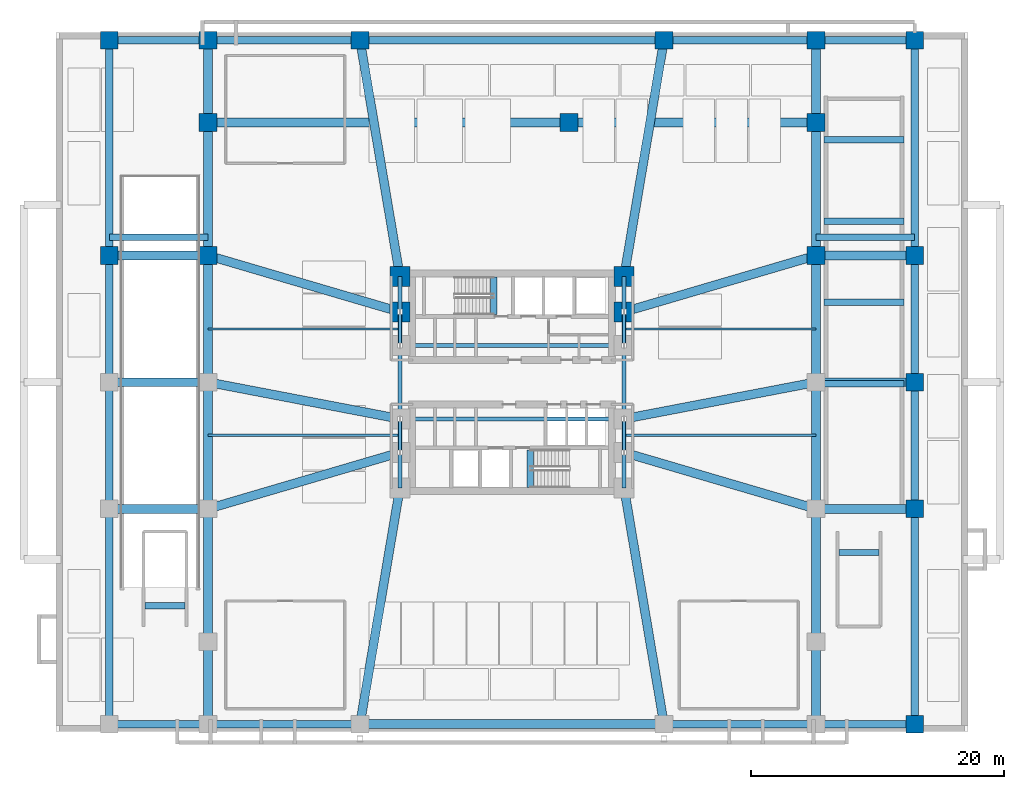
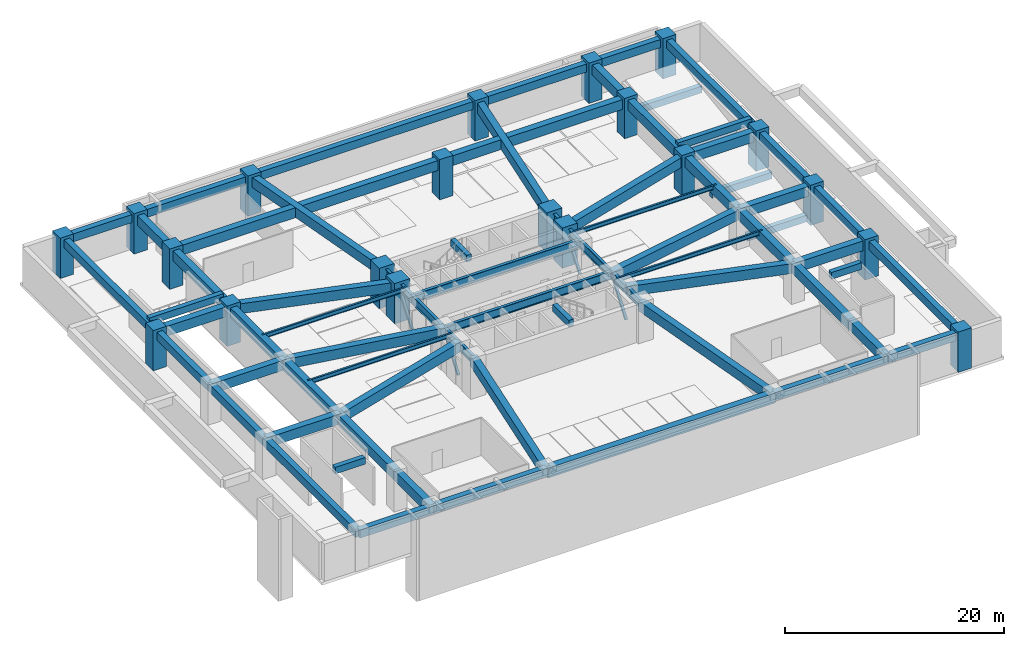
# One storey, part 3 of 13: 74 beams, 20 columns, 4 members.
"""IFC4 building model written with IfcOpenShell, lengths in metres."""

from ifc_helpers import new_model, si_unit, direction, frame, origin, origin_2d, place, context, subcontext, project, spatial, rectangle, hollow_rectangle, i_section, extrude, material, material_profile, profile_set, type_object, element, save


model = new_model("IFC4")

# Units and contexts
model_context = context("Model", 3, precision=1e-05, world=origin(), true_north=direction((0.0, 1.0)))
body_context = subcontext(model_context, "Body", "Model", "MODEL_VIEW")
ifc_project = project(units=[si_unit("LENGTHUNIT", "METRE"), si_unit("AREAUNIT", "SQUARE_METRE"), si_unit("VOLUMEUNIT", "CUBIC_METRE"), si_unit("PLANEANGLEUNIT", "RADIAN"), si_unit("MASSUNIT", "GRAM", prefix="KILO")], contexts=[model_context])

# Site, building, storey
site_placement = place(None, origin())
site = spatial("IfcSite", under=ifc_project, at=site_placement, CompositionType="ELEMENT")
building_placement = place(site_placement, origin())
building = spatial("IfcBuilding", under=site, at=building_placement, Name="Solmarez Civic Tower", CompositionType="ELEMENT")
storey_placement = place(building_placement, frame((0.0, 0.0, -4.5)))
storey = spatial("IfcBuildingStorey", under=building, at=storey_placement, Name="B1", CompositionType="ELEMENT", Elevation=-4.5)

# Columns
ifc_material_1 = material(Name="Concrete C60/75", Category="concrete")
ifc_material_profile_1 = material_profile(ifc_material_1, rectangle(XDim=1.39990234375, YDim=1.39990234375, at=origin_2d()), Name="RC1400X1400")
ifc_profile_set_1 = profile_set([ifc_material_profile_1], Name="Concrete C60/75")
column_type_1 = type_object("IfcColumnType", Name="COL-RC1400", PredefinedType="COLUMN", material=ifc_profile_set_1)
for number, where, z_axis, x_axis, name in (
    (1, (31.800048828125, -27.0, 0.0), (0.0, 0.0, 1.0), (1.0, 0.0, 0.0), "B1 Structural Column PC06"),
    (2, (-31.800048828125, 27.0, 0.0), (0.0, 0.0, 1.0), (1.0, 0.0, 0.0), "B1 Structural Column PC07"),
    (3, (-24.0, 27.0, 0.0), (0.0, 0.0, 1.0), (1.0, 0.0, 0.0), "B1 Structural Column PC08"),
    (4, (-12.0, 27.0, 0.0), (0.0, 0.0, 1.0), (1.0, 0.0, 0.0), "B1 Structural Column PC09"),
    (5, (12.0, 27.0, 0.0), (0.0, 0.0, 1.0), (1.0, 0.0, 0.0), "B1 Structural Column PC10"),
    (6, (24.0, 27.0, 0.0), (0.0, 0.0, 1.0), (1.0, 0.0, 0.0), "B1 Structural Column PC11"),
    (7, (31.800048828125, 27.0, 0.0), (0.0, 0.0, 1.0), (1.0, 0.0, 0.0), "B1 Structural Column PC12"),
    (8, (-31.800048828125, 10.0, 0.0), (0.0, 0.0, 1.0), (1.0, 0.0, 0.0), "B1 Structural Column PC15"),
    (9, (31.800048828125, -10.0, 0.0), (0.0, 0.0, 1.0), (1.0, 0.0, 0.0), "B1 Structural Column PC16"),
    (10, (31.800048828125, 0.0, 0.0), (0.0, 0.0, 1.0), (1.0, 0.0, 0.0), "B1 Structural Column PC17"),
    (11, (31.800048828125, 10.0, 0.0), (0.0, 0.0, 1.0), (1.0, 0.0, 0.0), "B1 Structural Column PC18"),
    (12, (-24.0, 10.0, 0.0), (0.0, 0.0, 1.0), (1.0, 0.0, 0.0), "B1 Structural Column PC21"),
    (13, (24.0, 10.0, 0.0), (0.0, 0.0, 1.0), (1.0, 0.0, 0.0), "B1 Structural Column PC24"),
    (14, (4.5, 20.5, 0.0), (0.0, 0.0, 1.0), (1.0, 0.0, 0.0), "B1 Structural Column PC25"),
    (15, (-24.0, 20.5, 0.0), (0.0, 0.0, 1.0), (1.0, 0.0, 0.0), "B1 Structural Column PC29"),
    (16, (24.0, 20.5, 0.0), (0.0, 0.0, 1.0), (1.0, 0.0, 0.0), "B1 Structural Column PC30"),
):
    element("IfcColumn", number, at=place(storey_placement, frame(where, z_axis=z_axis, x_axis=x_axis)), inside=storey, type_object=column_type_1, Name=name, PredefinedType="COLUMN", context=body_context, shape_type="SweptSolid", body=[
        extrude(rectangle(XDim=1.39990234375, YDim=1.39990234375, at=origin_2d()), origin(), (0.0, 0.0, 1.0), 4.5),
    ])
ifc_material_profile_2 = material_profile(ifc_material_1, rectangle(XDim=1.60009765625, YDim=1.60009765625, at=origin_2d()), Name="RC1600X1600")
ifc_profile_set_2 = profile_set([ifc_material_profile_2], Name="Concrete C60/75")
column_type_2 = type_object("IfcColumnType", Name="COL-RC1600", PredefinedType="COLUMN", material=ifc_profile_set_2)
for number, where, z_axis, x_axis, name in (
    (17, (-8.85009765625, 5.550048828125, 0.0), (0.0, 0.0, 1.0), (1.0, 0.0, 0.0), "B1 Structural Column HC4"),
    (18, (8.85009765625, 5.550048828125, 0.0), (0.0, 0.0, 1.0), (1.0, 0.0, 0.0), "B1 Structural Column HC8"),
    (19, (-8.85009765625, 8.35009765625, 0.0), (0.0, 0.0, 1.0), (1.0, 0.0, 0.0), "B1 Structural Column HC9"),
    (20, (8.85009765625, 8.35009765625, 0.0), (0.0, 0.0, 1.0), (1.0, 0.0, 0.0), "B1 Structural Column HC11"),
):
    element("IfcColumn", number, at=place(storey_placement, frame(where, z_axis=z_axis, x_axis=x_axis)), inside=storey, type_object=column_type_2, Name=name, PredefinedType="COLUMN", context=body_context, shape_type="SweptSolid", body=[
        extrude(rectangle(XDim=1.60009765625, YDim=1.60009765625, at=origin_2d()), origin(), (0.0, 0.0, 1.0), 4.5),
    ])

# Beams
ifc_material_2 = material(Name="Steel S355", Category="steel")
ifc_material_profile_3 = material_profile(ifc_material_2, i_section(OverallWidth=0.19189453125, OverallDepth=0.462890625, WebThickness=0.010498046875, FlangeThickness=0.017578125, at=origin_2d()), Name="W18X60")
ifc_profile_set_3 = profile_set([ifc_material_profile_3], Name="Steel S355")
beam_type_1 = type_object("IfcBeamType", Name="BM-JS-W18X60", PredefinedType="JOIST", material=ifc_profile_set_3)
for number, where, z_axis, x_axis, name in (
    (21, (-24.0, -4.199951171875, 3.948974609375), (1.0, 0.0, 0.0), (0.0, 1.0, 0.0), "B1 Secondary Floor Joist JS-B1-WM1"),
    (22, (8.85009765625, -4.199951171875, 3.948974609375), (1.0, 0.0, 0.0), (0.0, 1.0, 0.0), "B1 Secondary Floor Joist JS-B1-EM1"),
    (23, (-24.0, 4.199951171875, 3.948974609375), (1.0, 0.0, 0.0), (0.0, 1.0, 0.0), "B1 Secondary Floor Joist JS-B1-WM2"),
    (24, (8.85009765625, 4.199951171875, 3.948974609375), (1.0, 0.0, 0.0), (0.0, 1.0, 0.0), "B1 Secondary Floor Joist JS-B1-EM2"),
):
    element("IfcBeam", number, at=place(storey_placement, frame(where, z_axis=z_axis, x_axis=x_axis)), inside=storey, type_object=beam_type_1, Name=name, PredefinedType="JOIST", context=body_context, shape_type="SweptSolid", body=[
        extrude(i_section(OverallWidth=0.19189453125, OverallDepth=0.462890625, WebThickness=0.010498046875, FlangeThickness=0.017578125, at=origin_2d()), origin(), (0.0, 0.0, 1.0), 15.14990234375),
    ])
ifc_material_3 = material(Name="Concrete C50/60", Category="concrete")
ifc_material_profile_4 = material_profile(ifc_material_3, rectangle(XDim=0.5, YDim=0.75, at=origin_2d()), Name="RC500X750")
ifc_profile_set_4 = profile_set([ifc_material_profile_4], Name="Concrete C50/60")
beam_type_2 = type_object("IfcBeamType", Name="BM-PR-RC500X750", PredefinedType="BEAM", material=ifc_profile_set_4)
for number, where, z_axis, x_axis, name in (
    (25, (-1.449951171875, 5.340087890625, 4.133056640625), (0.0, 1.0, 0.0), (-1.0, 0.0, 0.0), "B1 North Stair Threshold Beam"),
    (26, (1.449951171875, -8.300048828125, 4.133056640625), (0.0, 1.0, 0.0), (-1.0, 0.0, 0.0), "B1 South Stair Threshold Beam"),
):
    element("IfcBeam", number, at=place(storey_placement, frame(where, z_axis=z_axis, x_axis=x_axis)), inside=storey, type_object=beam_type_2, Name=name, PredefinedType="BEAM", context=body_context, shape_type="SweptSolid", body=[
        extrude(rectangle(XDim=0.5, YDim=0.75, at=origin_2d()), origin(), (0.0, 0.0, 1.0), 2.9599609375),
    ])
for number, where, z_axis, x_axis, name in (
    (27, (24.64990234375, -0.1201171875, 0.68701171875), (1.0, 0.0, 0.0), (0.0, 1.0, 0.0), "B1 Vehicle Ramp Support Beam SLAB-VR1-1"),
    (28, (24.64990234375, 6.300048828125, 1.5869140625), (1.0, 0.0, 0.0), (0.0, 1.0, 0.0), "B1 Vehicle Ramp Support Beam SLAB-VR1-2"),
    (29, (24.64990234375, 12.719970703125, 2.487060546875), (1.0, 0.0, 0.0), (0.0, 1.0, 0.0), "B1 Vehicle Ramp Support Beam SLAB-VR1-3"),
    (30, (24.64990234375, 19.139892578125, 3.386962890625), (1.0, 0.0, 0.0), (0.0, 1.0, 0.0), "B1 Vehicle Ramp Support Beam SLAB-VR1-4"),
):
    element("IfcBeam", number, at=place(storey_placement, frame(where, z_axis=z_axis, x_axis=x_axis)), inside=storey, type_object=beam_type_2, Name=name, PredefinedType="BEAM", context=body_context, shape_type="SweptSolid", body=[
        extrude(rectangle(XDim=0.5, YDim=0.75, at=origin_2d()), origin(), (0.0, 0.0, 1.0), 6.300048828125),
    ])
for number, where, z_axis, x_axis, name in (
    (31, (-28.97998046875, -17.64990234375, 4.131103515625), (1.0, 0.0, 0.0), (0.0, 1.0, 0.0), "B1 West Podium Stair Threshold Beam"),
    (32, (25.820068359375, -13.449951171875, 4.131103515625), (1.0, 0.0, 0.0), (0.0, 1.0, 0.0), "B1 East Podium Stair Threshold Beam"),
):
    element("IfcBeam", number, at=place(storey_placement, frame(where, z_axis=z_axis, x_axis=x_axis)), inside=storey, type_object=beam_type_2, Name=name, PredefinedType="BEAM", context=body_context, shape_type="SweptSolid", body=[
        extrude(rectangle(XDim=0.5, YDim=0.75, at=origin_2d()), origin(), (0.0, 0.0, 1.0), 3.159912109375),
    ])
for number, where, z_axis, x_axis, name in (
    (33, (-31.800048828125, 11.449951171875, 4.131103515625), (1.0, 0.0, 0.0), (0.0, 1.0, 0.0), "B1 Atrium Stair Bottom Threshold Beam P3"),
    (34, (24.0, 11.449951171875, 4.131103515625), (1.0, 0.0, 0.0), (0.0, 1.0, 0.0), "B1 Atrium Stair Bottom Threshold Beam P4"),
):
    element("IfcBeam", number, at=place(storey_placement, frame(where, z_axis=z_axis, x_axis=x_axis)), inside=storey, type_object=beam_type_2, Name=name, PredefinedType="BEAM", context=body_context, shape_type="SweptSolid", body=[
        extrude(rectangle(XDim=0.5, YDim=0.75, at=origin_2d()), origin(), (0.0, 0.0, 1.0), 7.800048828125),
    ])
ifc_material_profile_5 = material_profile(ifc_material_3, rectangle(XDim=0.60009765625, YDim=0.89990234375, at=origin_2d()), Name="RC600X900")
ifc_profile_set_5 = profile_set([ifc_material_profile_5], Name="Concrete C50/60")
beam_type_3 = type_object("IfcBeamType", Name="BM-PR-RC600X900", PredefinedType="BEAM", material=ifc_profile_set_5)
beam_1_placement = place(storey_placement, frame((-31.800048828125, -27.0, 3.72998046875), z_axis=(1.0, 0.0, 0.0), x_axis=(0.0, 1.0, 0.0)))
element("IfcBeam", 35, at=beam_1_placement, inside=storey, type_object=beam_type_3, Name="B1 Primary Floor Beam BM-B1-PC01-PC02", PredefinedType="BEAM", context=body_context, shape_type="SweptSolid", body=[
    extrude(rectangle(XDim=0.60009765625, YDim=0.89990234375, at=origin_2d()), origin(), (0.0, 0.0, 1.0), 7.800048828125),
])
for number, where, z_axis, x_axis, name in (
    (36, (-24.0, -27.0, 3.72998046875), (1.0, 0.0, 0.0), (0.0, 1.0, 0.0), "B1 Primary Floor Beam BM-B1-PC02-PC03"),
    (37, (12.0, -27.0, 3.72998046875), (1.0, 0.0, 0.0), (0.0, 1.0, 0.0), "B1 Primary Floor Beam BM-B1-PC04-PC05"),
):
    element("IfcBeam", number, at=place(storey_placement, frame(where, z_axis=z_axis, x_axis=x_axis)), inside=storey, type_object=beam_type_3, Name=name, PredefinedType="BEAM", context=body_context, shape_type="SweptSolid", body=[
        extrude(rectangle(XDim=0.60009765625, YDim=0.89990234375, at=origin_2d()), origin(), (0.0, 0.0, 1.0), 12.0),
    ])
for number, where, z_axis, x_axis, name in (
    (38, (24.0, -27.0, 3.72998046875), (1.0, 0.0, 0.0), (0.0, 1.0, 0.0), "B1 Primary Floor Beam BM-B1-PC05-PC06"),
    (39, (-31.800048828125, 27.0, 3.72998046875), (1.0, 0.0, 0.0), (0.0, 1.0, 0.0), "B1 Primary Floor Beam BM-B1-PC07-PC08"),
):
    element("IfcBeam", number, at=place(storey_placement, frame(where, z_axis=z_axis, x_axis=x_axis)), inside=storey, type_object=beam_type_3, Name=name, PredefinedType="BEAM", context=body_context, shape_type="SweptSolid", body=[
        extrude(rectangle(XDim=0.60009765625, YDim=0.89990234375, at=origin_2d()), origin(), (0.0, 0.0, 1.0), 7.800048828125),
    ])
beam_2_placement = place(storey_placement, frame((-24.0, 27.0, 3.72998046875), z_axis=(1.0, 0.0, 0.0), x_axis=(0.0, 1.0, 0.0)))
element("IfcBeam", 40, at=beam_2_placement, inside=storey, type_object=beam_type_3, Name="B1 Primary Floor Beam BM-B1-PC08-PC09", PredefinedType="BEAM", context=body_context, shape_type="SweptSolid", body=[
    extrude(rectangle(XDim=0.60009765625, YDim=0.89990234375, at=origin_2d()), origin(), (0.0, 0.0, 1.0), 12.0),
])
beam_3_placement = place(storey_placement, frame((-12.0, 27.0, 3.72998046875), z_axis=(1.0, 0.0, 0.0), x_axis=(0.0, 1.0, 0.0)))
element("IfcBeam", 41, at=beam_3_placement, inside=storey, type_object=beam_type_3, Name="B1 Primary Floor Beam BM-B1-PC09-PC10", PredefinedType="BEAM", context=body_context, shape_type="SweptSolid", body=[
    extrude(rectangle(XDim=0.60009765625, YDim=0.89990234375, at=origin_2d()), origin(), (0.0, 0.0, 1.0), 24.0),
])
beam_4_placement = place(storey_placement, frame((12.0, 27.0, 3.72998046875), z_axis=(1.0, 0.0, 0.0), x_axis=(0.0, 1.0, 0.0)))
element("IfcBeam", 42, at=beam_4_placement, inside=storey, type_object=beam_type_3, Name="B1 Primary Floor Beam BM-B1-PC10-PC11", PredefinedType="BEAM", context=body_context, shape_type="SweptSolid", body=[
    extrude(rectangle(XDim=0.60009765625, YDim=0.89990234375, at=origin_2d()), origin(), (0.0, 0.0, 1.0), 12.0),
])
beam_5_placement = place(storey_placement, frame((24.0, 27.0, 3.72998046875), z_axis=(1.0, 0.0, 0.0), x_axis=(0.0, 1.0, 0.0)))
element("IfcBeam", 43, at=beam_5_placement, inside=storey, type_object=beam_type_3, Name="B1 Primary Floor Beam BM-B1-PC11-PC12", PredefinedType="BEAM", context=body_context, shape_type="SweptSolid", body=[
    extrude(rectangle(XDim=0.60009765625, YDim=0.89990234375, at=origin_2d()), origin(), (0.0, 0.0, 1.0), 7.800048828125),
])
beam_6_placement = place(storey_placement, frame((-31.800048828125, -27.0, 3.72998046875), z_axis=(0.0, 1.0, 0.0), x_axis=(-1.0, 0.0, 0.0)))
element("IfcBeam", 44, at=beam_6_placement, inside=storey, type_object=beam_type_3, Name="B1 Primary Floor Beam BM-B1-PC01-PC13", PredefinedType="BEAM", context=body_context, shape_type="SweptSolid", body=[
    extrude(rectangle(XDim=0.60009765625, YDim=0.89990234375, at=origin_2d()), origin(), (0.0, 0.0, 1.0), 17.0),
])
for number, where, z_axis, x_axis, name in (
    (45, (-31.800048828125, -10.0, 3.72998046875), (0.0, 1.0, 0.0), (-1.0, 0.0, 0.0), "B1 Primary Floor Beam BM-B1-PC13-PC14"),
    (46, (-31.800048828125, 0.0, 3.72998046875), (0.0, 1.0, 0.0), (-1.0, 0.0, 0.0), "B1 Primary Floor Beam BM-B1-PC14-PC15"),
):
    element("IfcBeam", number, at=place(storey_placement, frame(where, z_axis=z_axis, x_axis=x_axis)), inside=storey, type_object=beam_type_3, Name=name, PredefinedType="BEAM", context=body_context, shape_type="SweptSolid", body=[
        extrude(rectangle(XDim=0.60009765625, YDim=0.89990234375, at=origin_2d()), origin(), (0.0, 0.0, 1.0), 10.0),
    ])
for number, where, z_axis, x_axis, name in (
    (47, (-31.800048828125, 10.0, 3.72998046875), (0.0, 1.0, 0.0), (-1.0, 0.0, 0.0), "B1 Primary Floor Beam BM-B1-PC15-PC07"),
    (48, (31.800048828125, -27.0, 3.72998046875), (0.0, 1.0, 0.0), (-1.0, 0.0, 0.0), "B1 Primary Floor Beam BM-B1-PC06-PC16"),
):
    element("IfcBeam", number, at=place(storey_placement, frame(where, z_axis=z_axis, x_axis=x_axis)), inside=storey, type_object=beam_type_3, Name=name, PredefinedType="BEAM", context=body_context, shape_type="SweptSolid", body=[
        extrude(rectangle(XDim=0.60009765625, YDim=0.89990234375, at=origin_2d()), origin(), (0.0, 0.0, 1.0), 17.0),
    ])
for number, where, z_axis, x_axis, name in (
    (49, (31.800048828125, -10.0, 3.72998046875), (0.0, 1.0, 0.0), (-1.0, 0.0, 0.0), "B1 Primary Floor Beam BM-B1-PC16-PC17"),
    (50, (31.800048828125, 0.0, 3.72998046875), (0.0, 1.0, 0.0), (-1.0, 0.0, 0.0), "B1 Primary Floor Beam BM-B1-PC17-PC18"),
):
    element("IfcBeam", number, at=place(storey_placement, frame(where, z_axis=z_axis, x_axis=x_axis)), inside=storey, type_object=beam_type_3, Name=name, PredefinedType="BEAM", context=body_context, shape_type="SweptSolid", body=[
        extrude(rectangle(XDim=0.60009765625, YDim=0.89990234375, at=origin_2d()), origin(), (0.0, 0.0, 1.0), 10.0),
    ])
beam_7_placement = place(storey_placement, frame((31.800048828125, 10.0, 3.72998046875), z_axis=(0.0, 1.0, 0.0), x_axis=(-1.0, 0.0, 0.0)))
element("IfcBeam", 51, at=beam_7_placement, inside=storey, type_object=beam_type_3, Name="B1 Primary Floor Beam BM-B1-PC18-PC12", PredefinedType="BEAM", context=body_context, shape_type="SweptSolid", body=[
    extrude(rectangle(XDim=0.60009765625, YDim=0.89990234375, at=origin_2d()), origin(), (0.0, 0.0, 1.0), 17.0),
])
ifc_material_profile_6 = material_profile(ifc_material_3, rectangle(XDim=0.699951171875, YDim=1.10009765625, at=origin_2d()), Name="RC700X1100")
ifc_profile_set_6 = profile_set([ifc_material_profile_6], Name="Concrete C50/60")
beam_type_4 = type_object("IfcBeamType", Name="BM-PR-RC700X1100", PredefinedType="BEAM", material=ifc_profile_set_6)
beam_8_placement = place(storey_placement, frame((-12.0, -27.0, 3.6298828125), z_axis=(1.0, 0.0, 0.0), x_axis=(0.0, 1.0, 0.0)))
element("IfcBeam", 52, at=beam_8_placement, inside=storey, type_object=beam_type_4, Name="B1 Primary Floor Beam BM-B1-PC03-PC04", PredefinedType="BEAM", context=body_context, shape_type="SweptSolid", body=[
    extrude(rectangle(XDim=0.699951171875, YDim=1.10009765625, at=origin_2d()), origin(), (0.0, 0.0, 1.0), 24.0),
])
beam_9_placement = place(storey_placement, frame((-24.0, 20.5, 3.6298828125), z_axis=(1.0, 0.0, 0.0), x_axis=(0.0, 1.0, 0.0)))
element("IfcBeam", 53, at=beam_9_placement, inside=storey, type_object=beam_type_4, Name="B1 Primary Floor Beam BM-B1-PC29-PC25", PredefinedType="BEAM", context=body_context, shape_type="SweptSolid", body=[
    extrude(rectangle(XDim=0.699951171875, YDim=1.10009765625, at=origin_2d()), origin(), (0.0, 0.0, 1.0), 28.5),
])
beam_10_placement = place(storey_placement, frame((4.5, 20.5, 3.6298828125), z_axis=(1.0, 0.0, 0.0), x_axis=(0.0, 1.0, 0.0)))
element("IfcBeam", 54, at=beam_10_placement, inside=storey, type_object=beam_type_4, Name="B1 Primary Floor Beam BM-B1-PC25-PC30", PredefinedType="BEAM", context=body_context, shape_type="SweptSolid", body=[
    extrude(rectangle(XDim=0.699951171875, YDim=1.10009765625, at=origin_2d()), origin(), (0.0, 0.0, 1.0), 19.5),
])
beam_11_placement = place(storey_placement, frame((-24.0, -27.0, 3.6298828125), z_axis=(0.0, 1.0, 0.0), x_axis=(-1.0, 0.0, 0.0)))
element("IfcBeam", 55, at=beam_11_placement, inside=storey, type_object=beam_type_4, Name="B1 Primary Floor Beam BM-B1-PC02-PC27", PredefinedType="BEAM", context=body_context, shape_type="SweptSolid", body=[
    extrude(rectangle(XDim=0.699951171875, YDim=1.10009765625, at=origin_2d()), origin(), (0.0, 0.0, 1.0), 6.5),
])
beam_12_placement = place(storey_placement, frame((-24.0, -20.5, 3.6298828125), z_axis=(0.0, 1.0, 0.0), x_axis=(-1.0, 0.0, 0.0)))
element("IfcBeam", 56, at=beam_12_placement, inside=storey, type_object=beam_type_4, Name="B1 Primary Floor Beam BM-B1-PC27-PC19", PredefinedType="BEAM", context=body_context, shape_type="SweptSolid", body=[
    extrude(rectangle(XDim=0.699951171875, YDim=1.10009765625, at=origin_2d()), origin(), (0.0, 0.0, 1.0), 10.5),
])
for number, where, z_axis, x_axis, name in (
    (57, (-24.0, -10.0, 3.6298828125), (0.0, 1.0, 0.0), (-1.0, 0.0, 0.0), "B1 Primary Floor Beam BM-B1-PC19-PC20"),
    (58, (-24.0, 0.0, 3.6298828125), (0.0, 1.0, 0.0), (-1.0, 0.0, 0.0), "B1 Primary Floor Beam BM-B1-PC20-PC21"),
):
    element("IfcBeam", number, at=place(storey_placement, frame(where, z_axis=z_axis, x_axis=x_axis)), inside=storey, type_object=beam_type_4, Name=name, PredefinedType="BEAM", context=body_context, shape_type="SweptSolid", body=[
        extrude(rectangle(XDim=0.699951171875, YDim=1.10009765625, at=origin_2d()), origin(), (0.0, 0.0, 1.0), 10.0),
    ])
beam_13_placement = place(storey_placement, frame((-24.0, 10.0, 3.6298828125), z_axis=(0.0, 1.0, 0.0), x_axis=(-1.0, 0.0, 0.0)))
element("IfcBeam", 59, at=beam_13_placement, inside=storey, type_object=beam_type_4, Name="B1 Primary Floor Beam BM-B1-PC21-PC29", PredefinedType="BEAM", context=body_context, shape_type="SweptSolid", body=[
    extrude(rectangle(XDim=0.699951171875, YDim=1.10009765625, at=origin_2d()), origin(), (0.0, 0.0, 1.0), 10.5),
])
for number, where, z_axis, x_axis, name in (
    (60, (-24.0, 20.5, 3.6298828125), (0.0, 1.0, 0.0), (-1.0, 0.0, 0.0), "B1 Primary Floor Beam BM-B1-PC29-PC08"),
    (61, (24.0, -27.0, 3.6298828125), (0.0, 1.0, 0.0), (-1.0, 0.0, 0.0), "B1 Primary Floor Beam BM-B1-PC05-PC28"),
):
    element("IfcBeam", number, at=place(storey_placement, frame(where, z_axis=z_axis, x_axis=x_axis)), inside=storey, type_object=beam_type_4, Name=name, PredefinedType="BEAM", context=body_context, shape_type="SweptSolid", body=[
        extrude(rectangle(XDim=0.699951171875, YDim=1.10009765625, at=origin_2d()), origin(), (0.0, 0.0, 1.0), 6.5),
    ])
beam_14_placement = place(storey_placement, frame((24.0, -20.5, 3.6298828125), z_axis=(0.0, 1.0, 0.0), x_axis=(-1.0, 0.0, 0.0)))
element("IfcBeam", 62, at=beam_14_placement, inside=storey, type_object=beam_type_4, Name="B1 Primary Floor Beam BM-B1-PC28-PC22", PredefinedType="BEAM", context=body_context, shape_type="SweptSolid", body=[
    extrude(rectangle(XDim=0.699951171875, YDim=1.10009765625, at=origin_2d()), origin(), (0.0, 0.0, 1.0), 10.5),
])
for number, where, z_axis, x_axis, name in (
    (63, (24.0, -10.0, 3.6298828125), (0.0, 1.0, 0.0), (-1.0, 0.0, 0.0), "B1 Primary Floor Beam BM-B1-PC22-PC23"),
    (64, (24.0, 0.0, 3.6298828125), (0.0, 1.0, 0.0), (-1.0, 0.0, 0.0), "B1 Primary Floor Beam BM-B1-PC23-PC24"),
):
    element("IfcBeam", number, at=place(storey_placement, frame(where, z_axis=z_axis, x_axis=x_axis)), inside=storey, type_object=beam_type_4, Name=name, PredefinedType="BEAM", context=body_context, shape_type="SweptSolid", body=[
        extrude(rectangle(XDim=0.699951171875, YDim=1.10009765625, at=origin_2d()), origin(), (0.0, 0.0, 1.0), 10.0),
    ])
beam_15_placement = place(storey_placement, frame((24.0, 10.0, 3.6298828125), z_axis=(0.0, 1.0, 0.0), x_axis=(-1.0, 0.0, 0.0)))
element("IfcBeam", 65, at=beam_15_placement, inside=storey, type_object=beam_type_4, Name="B1 Primary Floor Beam BM-B1-PC24-PC30", PredefinedType="BEAM", context=body_context, shape_type="SweptSolid", body=[
    extrude(rectangle(XDim=0.699951171875, YDim=1.10009765625, at=origin_2d()), origin(), (0.0, 0.0, 1.0), 10.5),
])
beam_16_placement = place(storey_placement, frame((24.0, 20.5, 3.6298828125), z_axis=(0.0, 1.0, 0.0), x_axis=(-1.0, 0.0, 0.0)))
element("IfcBeam", 66, at=beam_16_placement, inside=storey, type_object=beam_type_4, Name="B1 Primary Floor Beam BM-B1-PC30-PC11", PredefinedType="BEAM", context=body_context, shape_type="SweptSolid", body=[
    extrude(rectangle(XDim=0.699951171875, YDim=1.10009765625, at=origin_2d()), origin(), (0.0, 0.0, 1.0), 6.5),
])
for number, where, z_axis, x_axis, name in (
    (67, (-31.800048828125, -10.0, 3.6298828125), (1.0, 0.0, 0.0), (0.0, 1.0, 0.0), "B1 Primary Floor Beam BM-B1-PC13-PC19"),
    (68, (-31.800048828125, 0.0, 3.6298828125), (1.0, 0.0, 0.0), (0.0, 1.0, 0.0), "B1 Primary Floor Beam BM-B1-PC14-PC20"),
    (69, (-31.800048828125, 10.0, 3.6298828125), (1.0, 0.0, 0.0), (0.0, 1.0, 0.0), "B1 Primary Floor Beam BM-B1-PC15-PC21"),
    (70, (31.800048828125, -10.0, 3.6298828125), (-1.0, 0.0, 0.0), (0.0, -1.0, 0.0), "B1 Primary Floor Beam BM-B1-PC16-PC22"),
    (71, (31.800048828125, 0.0, 3.6298828125), (-1.0, 0.0, 0.0), (0.0, -1.0, 0.0), "B1 Primary Floor Beam BM-B1-PC17-PC23"),
    (72, (31.800048828125, 10.0, 3.6298828125), (-1.0, 0.0, 0.0), (0.0, -1.0, 0.0), "B1 Primary Floor Beam BM-B1-PC18-PC24"),
):
    element("IfcBeam", number, at=place(storey_placement, frame(where, z_axis=z_axis, x_axis=x_axis)), inside=storey, type_object=beam_type_4, Name=name, PredefinedType="BEAM", context=body_context, shape_type="SweptSolid", body=[
        extrude(rectangle(XDim=0.699951171875, YDim=1.10009765625, at=origin_2d()), origin(), (0.0, 0.0, 1.0), 7.800048828125),
    ])
beam_17_placement = place(storey_placement, frame((-24.0, -10.0, 3.6298828125), z_axis=(0.959466630969, 0.281822256143, 0.0), x_axis=(-0.281822256143, 0.959466630969, 0.0)))
element("IfcBeam", 73, at=beam_17_placement, inside=storey, type_object=beam_type_4, Name="B1 Primary Floor Beam BM-B1-PC19-HC1", PredefinedType="BEAM", context=body_context, shape_type="SweptSolid", body=[
    extrude(rectangle(XDim=0.699951171875, YDim=1.10009765625, at=origin_2d()), origin(), (0.0, 0.0, 1.0), 15.7900390625),
])
beam_18_placement = place(storey_placement, frame((-24.0, 0.0, 3.6298828125), z_axis=(0.982168874333, -0.188000803966, 0.0), x_axis=(0.188000803966, 0.982168874333, 0.0)))
element("IfcBeam", 74, at=beam_18_placement, inside=storey, type_object=beam_type_4, Name="B1 Primary Floor Beam BM-B1-PC20-HC2", PredefinedType="BEAM", context=body_context, shape_type="SweptSolid", body=[
    extrude(rectangle(XDim=0.699951171875, YDim=1.10009765625, at=origin_2d()), origin(), (0.0, 0.0, 1.0), 15.425048828125),
])
for number, where, z_axis, x_axis, name in (
    (75, (-24.0, 10.0, 3.6298828125), (0.959466630969, -0.281822256143, 0.0), (0.281822256143, 0.959466630969, 0.0), "B1 Primary Floor Beam BM-B1-PC21-HC4"),
    (76, (24.0, -10.0, 3.6298828125), (-0.959466630969, 0.281822256143, 0.0), (-0.281822256143, -0.959466630969, 0.0), "B1 Primary Floor Beam BM-B1-PC22-HC5"),
):
    element("IfcBeam", number, at=place(storey_placement, frame(where, z_axis=z_axis, x_axis=x_axis)), inside=storey, type_object=beam_type_4, Name=name, PredefinedType="BEAM", context=body_context, shape_type="SweptSolid", body=[
        extrude(rectangle(XDim=0.699951171875, YDim=1.10009765625, at=origin_2d()), origin(), (0.0, 0.0, 1.0), 15.7900390625),
    ])
beam_19_placement = place(storey_placement, frame((24.0, 0.0, 3.6298828125), z_axis=(-0.982168874333, -0.188000803966, 0.0), x_axis=(0.188000803966, -0.982168874333, 0.0)))
element("IfcBeam", 77, at=beam_19_placement, inside=storey, type_object=beam_type_4, Name="B1 Primary Floor Beam BM-B1-PC23-HC6", PredefinedType="BEAM", context=body_context, shape_type="SweptSolid", body=[
    extrude(rectangle(XDim=0.699951171875, YDim=1.10009765625, at=origin_2d()), origin(), (0.0, 0.0, 1.0), 15.425048828125),
])
beam_20_placement = place(storey_placement, frame((24.0, 10.0, 3.6298828125), z_axis=(-0.959466630969, -0.281822256143, 0.0), x_axis=(0.281822256143, -0.959466630969, 0.0)))
element("IfcBeam", 78, at=beam_20_placement, inside=storey, type_object=beam_type_4, Name="B1 Primary Floor Beam BM-B1-PC24-HC8", PredefinedType="BEAM", context=body_context, shape_type="SweptSolid", body=[
    extrude(rectangle(XDim=0.699951171875, YDim=1.10009765625, at=origin_2d()), origin(), (0.0, 0.0, 1.0), 15.7900390625),
])
for number, where, z_axis, x_axis, name in (
    (79, (-12.0, -27.0, 3.6298828125), (0.166537824737, 0.986035066786, 0.0), (-0.986035066786, 0.166537824737, 0.0), "B1 Primary Floor Beam BM-B1-PC03-HC12"),
    (80, (12.0, -27.0, 3.6298828125), (-0.166537824737, 0.986035066786, 0.0), (-0.986035066786, -0.166537824737, 0.0), "B1 Primary Floor Beam BM-B1-PC04-HC10"),
    (81, (-12.0, 27.0, 3.6298828125), (0.166537824737, -0.986035066786, 0.0), (0.986035066786, 0.166537824737, 0.0), "B1 Primary Floor Beam BM-B1-PC09-HC9"),
    (82, (12.0, 27.0, 3.6298828125), (-0.166537824737, -0.986035066786, 0.0), (0.986035066786, -0.166537824737, 0.0), "B1 Primary Floor Beam BM-B1-PC10-HC11"),
):
    element("IfcBeam", number, at=place(storey_placement, frame(where, z_axis=z_axis, x_axis=x_axis)), inside=storey, type_object=beam_type_4, Name=name, PredefinedType="BEAM", context=body_context, shape_type="SweptSolid", body=[
        extrude(rectangle(XDim=0.699951171875, YDim=1.10009765625, at=origin_2d()), origin(), (0.0, 0.0, 1.0), 18.9140625),
    ])
ifc_material_profile_7 = material_profile(ifc_material_2, i_section(OverallWidth=0.306884765625, OverallDepth=0.927001953125, WebThickness=0.019287109375, FlangeThickness=0.031982421875, at=origin_2d()), Name="W36X194")
ifc_profile_set_7 = profile_set([ifc_material_profile_7], Name="Steel S355")
beam_type_5 = type_object("IfcBeamType", Name="BM-PR-W36X194", PredefinedType="BEAM", material=ifc_profile_set_7)
beam_21_placement = place(storey_placement, frame((-8.85009765625, -8.35009765625, 3.716064453125), z_axis=(0.0, 1.0, 0.0), x_axis=(-1.0, 0.0, 0.0)))
element("IfcBeam", 83, at=beam_21_placement, inside=storey, type_object=beam_type_5, Name="B1 Primary Floor Beam BM-B1-HC12-HC1", PredefinedType="BEAM", context=body_context, shape_type="SweptSolid", body=[
    extrude(i_section(OverallWidth=0.306884765625, OverallDepth=0.927001953125, WebThickness=0.019287109375, FlangeThickness=0.031982421875, at=origin_2d()), origin(), (0.0, 0.0, 1.0), 2.800048828125),
])
beam_22_placement = place(storey_placement, frame((-8.85009765625, -5.550048828125, 3.716064453125), z_axis=(0.0, 1.0, 0.0), x_axis=(-1.0, 0.0, 0.0)))
element("IfcBeam", 84, at=beam_22_placement, inside=storey, type_object=beam_type_5, Name="B1 Primary Floor Beam BM-B1-HC1-HC2", PredefinedType="BEAM", context=body_context, shape_type="SweptSolid", body=[
    extrude(i_section(OverallWidth=0.306884765625, OverallDepth=0.927001953125, WebThickness=0.019287109375, FlangeThickness=0.031982421875, at=origin_2d()), origin(), (0.0, 0.0, 1.0), 2.650146484375),
])
beam_23_placement = place(storey_placement, frame((-8.85009765625, -2.89990234375, 3.716064453125), z_axis=(0.0, 1.0, 0.0), x_axis=(-1.0, 0.0, 0.0)))
element("IfcBeam", 85, at=beam_23_placement, inside=storey, type_object=beam_type_5, Name="B1 Primary Floor Beam BM-B1-HC2-HC3", PredefinedType="BEAM", context=body_context, shape_type="SweptSolid", body=[
    extrude(i_section(OverallWidth=0.306884765625, OverallDepth=0.927001953125, WebThickness=0.019287109375, FlangeThickness=0.031982421875, at=origin_2d()), origin(), (0.0, 0.0, 1.0), 5.7998046875),
])
beam_24_placement = place(storey_placement, frame((-8.85009765625, 2.89990234375, 3.716064453125), z_axis=(0.0, 1.0, 0.0), x_axis=(-1.0, 0.0, 0.0)))
element("IfcBeam", 86, at=beam_24_placement, inside=storey, type_object=beam_type_5, Name="B1 Primary Floor Beam BM-B1-HC3-HC4", PredefinedType="BEAM", context=body_context, shape_type="SweptSolid", body=[
    extrude(i_section(OverallWidth=0.306884765625, OverallDepth=0.927001953125, WebThickness=0.019287109375, FlangeThickness=0.031982421875, at=origin_2d()), origin(), (0.0, 0.0, 1.0), 2.650146484375),
])
for number, where, z_axis, x_axis, name in (
    (87, (-8.85009765625, 5.550048828125, 3.716064453125), (0.0, 1.0, 0.0), (-1.0, 0.0, 0.0), "B1 Primary Floor Beam BM-B1-HC4-HC9"),
    (88, (8.85009765625, -8.35009765625, 3.716064453125), (0.0, 1.0, 0.0), (-1.0, 0.0, 0.0), "B1 Primary Floor Beam BM-B1-HC10-HC5"),
):
    element("IfcBeam", number, at=place(storey_placement, frame(where, z_axis=z_axis, x_axis=x_axis)), inside=storey, type_object=beam_type_5, Name=name, PredefinedType="BEAM", context=body_context, shape_type="SweptSolid", body=[
        extrude(i_section(OverallWidth=0.306884765625, OverallDepth=0.927001953125, WebThickness=0.019287109375, FlangeThickness=0.031982421875, at=origin_2d()), origin(), (0.0, 0.0, 1.0), 2.800048828125),
    ])
beam_25_placement = place(storey_placement, frame((8.85009765625, -5.550048828125, 3.716064453125), z_axis=(0.0, 1.0, 0.0), x_axis=(-1.0, 0.0, 0.0)))
element("IfcBeam", 89, at=beam_25_placement, inside=storey, type_object=beam_type_5, Name="B1 Primary Floor Beam BM-B1-HC5-HC6", PredefinedType="BEAM", context=body_context, shape_type="SweptSolid", body=[
    extrude(i_section(OverallWidth=0.306884765625, OverallDepth=0.927001953125, WebThickness=0.019287109375, FlangeThickness=0.031982421875, at=origin_2d()), origin(), (0.0, 0.0, 1.0), 2.650146484375),
])
beam_26_placement = place(storey_placement, frame((8.85009765625, -2.89990234375, 3.716064453125), z_axis=(0.0, 1.0, 0.0), x_axis=(-1.0, 0.0, 0.0)))
element("IfcBeam", 90, at=beam_26_placement, inside=storey, type_object=beam_type_5, Name="B1 Primary Floor Beam BM-B1-HC6-HC7", PredefinedType="BEAM", context=body_context, shape_type="SweptSolid", body=[
    extrude(i_section(OverallWidth=0.306884765625, OverallDepth=0.927001953125, WebThickness=0.019287109375, FlangeThickness=0.031982421875, at=origin_2d()), origin(), (0.0, 0.0, 1.0), 5.7998046875),
])
beam_27_placement = place(storey_placement, frame((8.85009765625, 2.89990234375, 3.716064453125), z_axis=(0.0, 1.0, 0.0), x_axis=(-1.0, 0.0, 0.0)))
element("IfcBeam", 91, at=beam_27_placement, inside=storey, type_object=beam_type_5, Name="B1 Primary Floor Beam BM-B1-HC7-HC8", PredefinedType="BEAM", context=body_context, shape_type="SweptSolid", body=[
    extrude(i_section(OverallWidth=0.306884765625, OverallDepth=0.927001953125, WebThickness=0.019287109375, FlangeThickness=0.031982421875, at=origin_2d()), origin(), (0.0, 0.0, 1.0), 2.650146484375),
])
beam_28_placement = place(storey_placement, frame((8.85009765625, 5.550048828125, 3.716064453125), z_axis=(0.0, 1.0, 0.0), x_axis=(-1.0, 0.0, 0.0)))
element("IfcBeam", 92, at=beam_28_placement, inside=storey, type_object=beam_type_5, Name="B1 Primary Floor Beam BM-B1-HC8-HC11", PredefinedType="BEAM", context=body_context, shape_type="SweptSolid", body=[
    extrude(i_section(OverallWidth=0.306884765625, OverallDepth=0.927001953125, WebThickness=0.019287109375, FlangeThickness=0.031982421875, at=origin_2d()), origin(), (0.0, 0.0, 1.0), 2.800048828125),
])
for number, where, z_axis, x_axis, name in (
    (93, (-8.85009765625, -2.89990234375, 3.716064453125), (1.0, 0.0, 0.0), (0.0, 1.0, 0.0), "B1 Primary Floor Beam BM-B1-HC2-HC6"),
    (94, (-8.85009765625, 2.89990234375, 3.716064453125), (1.0, 0.0, 0.0), (0.0, 1.0, 0.0), "B1 Primary Floor Beam BM-B1-HC3-HC7"),
):
    element("IfcBeam", number, at=place(storey_placement, frame(where, z_axis=z_axis, x_axis=x_axis)), inside=storey, type_object=beam_type_5, Name=name, PredefinedType="BEAM", context=body_context, shape_type="SweptSolid", body=[
        extrude(i_section(OverallWidth=0.306884765625, OverallDepth=0.927001953125, WebThickness=0.019287109375, FlangeThickness=0.031982421875, at=origin_2d()), origin(), (0.0, 0.0, 1.0), 17.7001953125),
    ])

# Members
ifc_material_profile_8 = material_profile(ifc_material_2, hollow_rectangle(XDim=0.25, YDim=0.25, WallThickness=0.011962890625, at=origin_2d()), Name="HSS250X250X12")
ifc_profile_set_8 = profile_set([ifc_material_profile_8], Name="Steel S355")
member_type = type_object("IfcMemberType", Name="MEM-BRC-HSS250", PredefinedType="BRACE", material=ifc_profile_set_8)
for number, where, z_axis, x_axis, name in (
    (95, (-8.85009765625, -5.550048828125, 0.25), (0.0, 0.592828251288, 0.80532891695), (-1.0, 0.0, 0.0), "B1 Core Spine Brace 1"),
    (96, (-8.85009765625, 2.89990234375, 0.25), (0.0, 0.592828251288, 0.80532891695), (-1.0, 0.0, 0.0), "B1 Core Spine Brace 2"),
    (97, (8.85009765625, -5.550048828125, 0.25), (0.0, 0.592828251288, 0.80532891695), (-1.0, 0.0, 0.0), "B1 Core Spine Brace 3"),
    (98, (8.85009765625, 2.89990234375, 0.25), (0.0, 0.592828251288, 0.80532891695), (-1.0, 0.0, 0.0), "B1 Core Spine Brace 4"),
):
    element("IfcMember", number, at=place(storey_placement, frame(where, z_axis=z_axis, x_axis=x_axis)), inside=storey, type_object=member_type, Name=name, PredefinedType="BRACE", context=body_context, shape_type="SweptSolid", body=[
        extrude(hollow_rectangle(XDim=0.25, YDim=0.25, WallThickness=0.011962890625, at=origin_2d()), origin(), (0.0, 0.0, 1.0), 4.470458984375),
    ])

save(model, "model.ifc")
